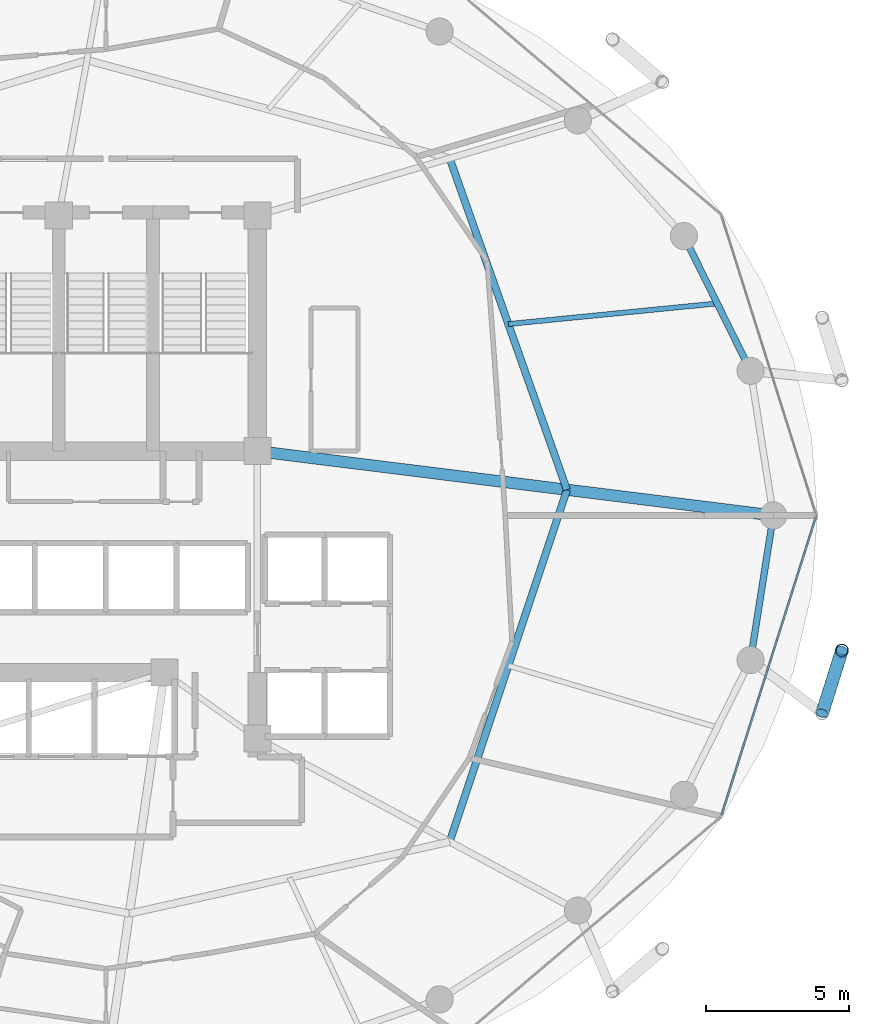
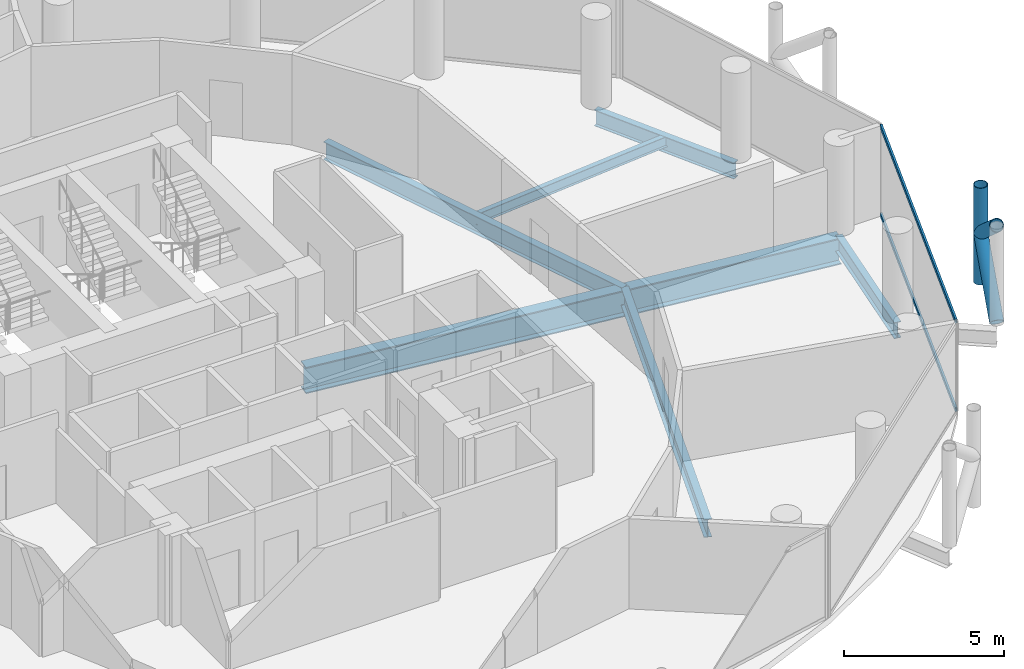
# One storey, part 11 of 26: 6 beams, 5 members, 1 element without a shape of its own.
"""IFC4 building model written with IfcOpenShell, lengths in metres."""

import ifcopenshell
import ifcopenshell.guid

model = None  # the IFC model being written
_history = None  # IfcOwnerHistory: only IFC2X3 demands one
_inside = {}  # id of a spatial element -> (the spatial element, [elements in it])
_under = {}  # id of a project, library or spatial element -> (it, [spatial elements below it])
_declared = {}  # id of a project -> (the project, [libraries it declares])
_typed = {}  # id of a type object -> (the type object, [elements of that type])
_made_of = {}  # id of a material, layer set ... -> (it, [elements and type objects made of it])


def new_model(schema):
    """Start an empty IFC model of exactly this schema.

    Asked for "IFC4X3", IfcOpenShell would pick the latest addendum, in which some entities
    have other attributes; the version numbers below select the first issue.
    IFC2X3 requires an IfcOwnerHistory on every rooted entity: one is made here for all.
    """
    global model, _history
    if schema == "IFC4X3":
        model = ifcopenshell.file(schema_version=(4, 3, 0, 0))
    else:
        model = ifcopenshell.file(schema=schema)
    _inside.clear()
    _under.clear()
    _declared.clear()
    _typed.clear()
    _made_of.clear()
    _history = None
    if model.schema == "IFC2X3":
        org = make("IfcOrganization", Name="unknown")
        user = make(
            "IfcPersonAndOrganization",
            ThePerson=make("IfcPerson", FamilyName="unknown"),
            TheOrganization=org,
        )
        app = make(
            "IfcApplication",
            ApplicationDeveloper=org,
            Version="unknown",
            ApplicationFullName="unknown",
            ApplicationIdentifier="unknown",
        )
        _history = make(
            "IfcOwnerHistory",
            OwningUser=user,
            OwningApplication=app,
            ChangeAction="ADDED",
            CreationDate=0,
        )
    return model


def make(cls, **values):
    """One entity of the class cls with the attributes given. An attribute that is None is left unset."""
    return model.create_entity(
        cls, **{name: value for name, value in values.items() if value is not None}
    )


def rooted(cls, **values):
    """An entity with a GlobalId (a new one), such as an element, a storey or a relation."""
    return make(cls, GlobalId=ifcopenshell.guid.new(), OwnerHistory=_history, **values)


def si_unit(unit_type, name, prefix=None):
    """IfcSIUnit, for example si_unit("LENGTHUNIT", "METRE", prefix="MILLI")."""
    return make("IfcSIUnit", UnitType=unit_type, Prefix=prefix, Name=name)


def assignment(units):
    """IfcUnitAssignment: the units of a project."""
    return None if units is None else make("IfcUnitAssignment", Units=units)


def point(xyz):
    """IfcCartesianPoint."""
    return None if xyz is None else make("IfcCartesianPoint", Coordinates=xyz)


def direction(xyz):
    """IfcDirection."""
    return None if xyz is None else make("IfcDirection", DirectionRatios=xyz)


def frame(location, z_axis=None, x_axis=None):
    """IfcAxis2Placement3D, a coordinate frame: its origin and axes. An axis left out is left unset."""
    return make(
        "IfcAxis2Placement3D",
        Location=point(location),
        Axis=direction(z_axis),
        RefDirection=direction(x_axis),
    )


def frame_2d(location, x_axis=None):
    """IfcAxis2Placement2D, a coordinate frame in the plane: its origin and x axis."""
    return make(
        "IfcAxis2Placement2D", Location=point(location), RefDirection=direction(x_axis)
    )


def origin():
    """The frame at (0, 0, 0) with its axes left unset."""
    return frame((0.0, 0.0, 0.0))


def origin_2d():
    """The frame at (0, 0) in the plane with its x axis left unset."""
    return frame_2d((0.0, 0.0))


def place(relative_to, where):
    """IfcLocalPlacement: puts the frame where relative to a parent placement (None: the world)."""
    return make(
        "IfcLocalPlacement", PlacementRelTo=relative_to, RelativePlacement=where
    )


def context(
    kind, dimensions, precision=None, world=None, true_north=None, identifier=None
):
    """IfcGeometricRepresentationContext, for example the 3D "Model" context."""
    return make(
        "IfcGeometricRepresentationContext",
        ContextIdentifier=identifier,
        ContextType=kind,
        CoordinateSpaceDimension=dimensions,
        Precision=precision,
        WorldCoordinateSystem=world,
        TrueNorth=true_north,
    )


def subcontext(parent, identifier, kind, view, scale=None):
    """IfcGeometricRepresentationSubContext, for example "Body" below "Model"."""
    return make(
        "IfcGeometricRepresentationSubContext",
        ContextIdentifier=identifier,
        ContextType=kind,
        ParentContext=parent,
        TargetScale=scale,
        TargetView=view,
    )


def project(units=None, contexts=None):
    """IfcProject with its units and contexts."""
    return rooted(
        "IfcProject",
        Name="project",
        RepresentationContexts=contexts,
        UnitsInContext=assignment(units),
    )


def spatial(cls, under=None, at=None, **own):
    """A site, building, storey or space (cls), placed at a placement, below another one or the project."""
    s = rooted(cls, ObjectPlacement=at, **own)
    if under is not None:
        _under.setdefault(under.id(), (under, []))[1].append(s)
    return s


def profile(cls, at=None, kind="AREA", **sizes):
    """A parametric profile (cls). Its sizes go by their IFC names, for example OverallWidth=200.0."""
    return make(cls, ProfileType=kind, Position=at, **sizes)


def hollow_rectangle(**sizes):
    """IfcRectangleHollowProfileDef."""
    return profile("IfcRectangleHollowProfileDef", **sizes)


def hollow_circle(**sizes):
    """IfcCircleHollowProfileDef."""
    return profile("IfcCircleHollowProfileDef", **sizes)


def i_section(**sizes):
    """IfcIShapeProfileDef."""
    return profile("IfcIShapeProfileDef", **sizes)


def extrude(swept, where, along, depth):
    """IfcExtrudedAreaSolid: the profile swept, set in the frame where, extruded along a direction by depth."""
    return make(
        "IfcExtrudedAreaSolid",
        SweptArea=swept,
        Position=where,
        ExtrudedDirection=direction(along),
        Depth=depth,
    )


def shape(context_of_items, identifier, shape_type, items):
    """IfcShapeRepresentation: the items that make up one representation, for example the "Body"."""
    return make(
        "IfcShapeRepresentation",
        ContextOfItems=context_of_items,
        RepresentationIdentifier=identifier,
        RepresentationType=shape_type,
        Items=items,
    )


def material(Name=None, Category=None):
    """IfcMaterial."""
    return make("IfcMaterial", Name=Name, Category=Category)


def layer(
    of_material, thickness, ventilated=None, Name=None, Category=None, Priority=None
):
    """IfcMaterialLayer: one layer of a wall or slab, of a material (None: an air gap)."""
    return make(
        "IfcMaterialLayer",
        Material=of_material,
        LayerThickness=thickness,
        IsVentilated=ventilated,
        Name=Name,
        Category=Category,
        Priority=Priority,
    )


def layer_set(layers, Name=None):
    """IfcMaterialLayerSet."""
    return make("IfcMaterialLayerSet", MaterialLayers=layers, LayerSetName=Name)


def material_profile(
    of_material, cross_section, Name=None, Category=None, Priority=None
):
    """IfcMaterialProfile: a cross section and its material."""
    return make(
        "IfcMaterialProfile",
        Name=Name,
        Material=of_material,
        Profile=cross_section,
        Priority=Priority,
        Category=Category,
    )


def profile_set(profiles, Name=None, composite=None):
    """IfcMaterialProfileSet."""
    return make(
        "IfcMaterialProfileSet",
        Name=Name,
        MaterialProfiles=profiles,
        CompositeProfile=composite,
    )


def made_of(thing, what):
    """Note that an element or type object is made of a material, layer set ...; save() writes the relation."""
    if what is not None:
        _made_of.setdefault(what.id(), (what, []))[1].append(thing)
    return thing


def type_object(cls, material=None, **own):
    """A type object (cls), such as IfcWallType, which elements share."""
    return made_of(rooted(cls, **own), material)


def element(
    cls,
    number,
    at=None,
    inside=None,
    cuts=None,
    type_object=None,
    material=None,
    context=None,
    identifier="Body",
    shape_type=None,
    held_by="IfcProductDefinitionShape",
    body=None,
    shapes=None,
    **own,
):
    """One element of the class cls, such as IfcWall. Its Tag is "e" and its number.

    at: its placement. inside: the storey or other place that contains it. cuts: it is an
    opening in that element (IfcRelVoidsElement). A single representation is given by context,
    identifier, shape_type and body (its items); several are given by shapes. held_by: the class
    of the entity that holds the representations. save() writes the other relations.
    """
    e = rooted(cls, Tag="e%d" % number, ObjectPlacement=at, **own)
    if body is not None:
        shapes = [shape(context, identifier, shape_type, body)]
    if shapes is not None:
        e.Representation = make(held_by, Representations=shapes)
    if inside is not None:
        _inside.setdefault(inside.id(), (inside, []))[1].append(e)
    if cuts is not None:
        rooted(
            "IfcRelVoidsElement", RelatingBuildingElement=cuts, RelatedOpeningElement=e
        )
    if type_object is not None:
        _typed.setdefault(type_object.id(), (type_object, []))[1].append(e)
    return made_of(e, material)


def aggregate(whole, parts):
    """IfcRelAggregates: a whole, such as a stair, and the parts it consists of."""
    return rooted("IfcRelAggregates", RelatingObject=whole, RelatedObjects=parts)


def save(model, path):
    """Write the relations noted so far, then the file.

    IfcRelAggregates (storeys below a building ...), IfcRelContainedInSpatialStructure (elements
    in a storey), IfcRelDefinesByType, IfcRelAssociatesMaterial and IfcRelDeclares: one each for
    every whole, place, type object, material and project.
    """
    for whole, parts in _under.values():
        aggregate(whole, parts)
    for where, things in _inside.values():
        rooted(
            "IfcRelContainedInSpatialStructure",
            RelatedElements=things,
            RelatingStructure=where,
        )
    for kind, things in _typed.values():
        rooted("IfcRelDefinesByType", RelatedObjects=things, RelatingType=kind)
    for what, things in _made_of.values():
        rooted("IfcRelAssociatesMaterial", RelatedObjects=things, RelatingMaterial=what)
    for by, libraries in _declared.values():
        rooted("IfcRelDeclares", RelatingContext=by, RelatedDefinitions=libraries)
    model.write(path)


model = new_model("IFC4")

# Units and contexts
model_context = context("Model", 3, precision=1e-05, world=origin(), true_north=direction((0.0, 1.0)))
body_context = subcontext(model_context, "Body", "Model", "MODEL_VIEW")
ifc_project = project(units=[si_unit("LENGTHUNIT", "METRE"), si_unit("AREAUNIT", "SQUARE_METRE"), si_unit("VOLUMEUNIT", "CUBIC_METRE"), si_unit("PLANEANGLEUNIT", "RADIAN"), si_unit("MASSUNIT", "GRAM", prefix="KILO")], contexts=[model_context])

# Site, building, storey
site_placement = place(None, origin())
site = spatial("IfcSite", under=ifc_project, at=site_placement, CompositionType="ELEMENT")
building_placement = place(site_placement, origin())
building = spatial("IfcBuilding", under=site, at=building_placement, Name="Nuhasar Tower", CompositionType="ELEMENT")
storey_placement = place(building_placement, frame((0.0, 0.0, 151.550048828125)))
storey = spatial("IfcBuildingStorey", under=building, at=storey_placement, Name="L36", CompositionType="ELEMENT", Elevation=151.550048828125)

# Beams
ifc_material_1 = material(Name="Steel S355", Category="steel")
ifc_material_profile_1 = material_profile(ifc_material_1, i_section(OverallWidth=0.25390625, OverallDepth=0.68408203125, WebThickness=0.012451171875, FlangeThickness=0.018798828125, at=origin_2d()), Name="W27X94")
ifc_profile_set_1 = profile_set([ifc_material_profile_1], Name="Steel S355")
beam_type_1 = type_object("IfcBeamType", Name="BM-INRING-W27X94", PredefinedType="BEAM", material=ifc_profile_set_1)
beam_1_placement = place(storey_placement, frame((51.027099609375, 15.385986328125, -0.592041015625), z_axis=(0.31609797573, 0.948726551615, 0.0), x_axis=(-0.948726551615, 0.31609797573, 0.0)))
element("IfcBeam", 1, at=beam_1_placement, inside=storey, type_object=beam_type_1, Name="L36 Inner Header Beam 03", PredefinedType="BEAM", context=body_context, shape_type="SweptSolid", body=[
    extrude(i_section(OverallWidth=0.25390625, OverallDepth=0.68408203125, WebThickness=0.012451171875, FlangeThickness=0.018798828125, at=origin_2d()), origin(), (0.0, 0.0, 1.0), 12.9794921875),
])
beam_2_placement = place(storey_placement, frame((55.1298828125, 27.699951171875, -0.592041015625), z_axis=(-0.333599821096, 0.942714781556, 0.0), x_axis=(-0.942714781556, -0.333599821096, 0.0)))
element("IfcBeam", 2, at=beam_2_placement, inside=storey, type_object=beam_type_1, Name="L36 Inner Header Beam 04", PredefinedType="BEAM", context=body_context, shape_type="SweptSolid", body=[
    extrude(i_section(OverallWidth=0.25390625, OverallDepth=0.68408203125, WebThickness=0.012451171875, FlangeThickness=0.018798828125, at=origin_2d()), origin(), (0.0, 0.0, 1.0), 12.298583984375),
])
ifc_material_profile_2 = material_profile(ifc_material_1, i_section(OverallWidth=0.177978515625, OverallDepth=0.406005859375, WebThickness=0.0078125, FlangeThickness=0.0126953125, at=origin_2d()), Name="W16X40")
ifc_profile_set_2 = profile_set([ifc_material_profile_2], Name="Steel S355")
beam_type_2 = type_object("IfcBeamType", Name="BM-JST-W16X40", PredefinedType="JOIST", material=ifc_profile_set_2)
beam_3_placement = place(storey_placement, frame((53.0791015625, 33.4970703125, -0.453125), z_axis=(0.995170244515, 0.098164068947, 0.0), x_axis=(-0.098164068947, 0.995170244515, 0.0)))
element("IfcBeam", 3, at=beam_3_placement, inside=storey, type_object=beam_type_2, Name="L36 Secondary Floor Joist 04", PredefinedType="JOIST", context=body_context, shape_type="SweptSolid", body=[
    extrude(i_section(OverallWidth=0.177978515625, OverallDepth=0.406005859375, WebThickness=0.0078125, FlangeThickness=0.0126953125, at=origin_2d()), origin(), (0.0, 0.0, 1.0), 7.34423828125),
])
ifc_material_profile_3 = material_profile(ifc_material_1, i_section(OverallWidth=0.22998046875, OverallDepth=0.616943359375, WebThickness=0.01318359375, FlangeThickness=0.022216796875, at=origin_2d()), Name="W24X94")
ifc_profile_set_3 = profile_set([ifc_material_profile_3], Name="Steel S355")
beam_type_3 = type_object("IfcBeamType", Name="BM-RING-W24X94", PredefinedType="SPANDREL", material=ifc_profile_set_3)
beam_4_placement = place(storey_placement, frame((61.553955078125, 31.860107421875, -0.55810546875), z_axis=(-0.443347771709, 0.896349682501, 0.0), x_axis=(-0.896349682501, -0.443347771709, 0.0)))
element("IfcBeam", 4, at=beam_4_placement, inside=storey, type_object=beam_type_3, Name="L36 Perimeter Ring Spandrel 02", PredefinedType="SPANDREL", context=body_context, shape_type="SweptSolid", body=[
    extrude(i_section(OverallWidth=0.22998046875, OverallDepth=0.616943359375, WebThickness=0.01318359375, FlangeThickness=0.022216796875, at=origin_2d()), origin(), (0.0, 0.0, 1.0), 5.260009765625),
])
beam_5_placement = place(storey_placement, frame((61.553955078125, 21.739990234375, -0.55810546875), z_axis=(0.155426543608, 0.987847452566, 0.0), x_axis=(-0.987847452566, 0.155426543608, 0.0)))
element("IfcBeam", 5, at=beam_5_placement, inside=storey, type_object=beam_type_3, Name="L36 Perimeter Ring Spandrel 24", PredefinedType="SPANDREL", context=body_context, shape_type="SweptSolid", body=[
    extrude(i_section(OverallWidth=0.22998046875, OverallDepth=0.616943359375, WebThickness=0.01318359375, FlangeThickness=0.022216796875, at=origin_2d()), origin(), (0.0, 0.0, 1.0), 5.122314453125),
])
ifc_material_2 = material(Name="Steel S460", Category="steel")
ifc_material_profile_4 = material_profile(ifc_material_2, i_section(OverallWidth=0.40087890625, OverallDepth=1.010009765625, WebThickness=0.023681640625, FlangeThickness=0.0419921875, at=origin_2d()), Name="W40X297")
ifc_profile_set_4 = profile_set([ifc_material_profile_4], Name="Steel S460")
beam_type_4 = type_object("IfcBeamType", Name="BM-XFER-W40X297", PredefinedType="USERDEFINED", material=ifc_profile_set_4)
beam_6_placement = place(storey_placement, frame((44.300048828125, 29.050048828125, -0.755126953125), z_axis=(0.992320149485, -0.123696082908, 0.0), x_axis=(0.123696082908, 0.992320149485, 0.0)))
element("IfcBeam", 6, at=beam_6_placement, inside=storey, type_object=beam_type_4, Name="L36 Radial Floor Girder 04", ObjectType="GIRDER", PredefinedType="USERDEFINED", context=body_context, shape_type="SweptSolid", body=[
    extrude(i_section(OverallWidth=0.40087890625, OverallDepth=1.010009765625, WebThickness=0.023681640625, FlangeThickness=0.0419921875, at=origin_2d()), origin(), (0.0, 0.0, 1.0), 18.189697265625),
])

# Curtain wall, members
ifc_material_3 = material(Name="Aluminium 6063-T6", Category="aluminium")
ifc_layer = layer(ifc_material_3, 0.199951171875)
ifc_layer_set = layer_set([ifc_layer], Name="Aluminium 6063-T6")
curtain_wall_type = type_object("IfcCurtainWallType", Name="CW-Z2-HTL", PredefinedType="NOTDEFINED", material=ifc_layer_set)
curtain_wall_placement = place(storey_placement, origin())
curtain_wall = element("IfcCurtainWall", 7, at=curtain_wall_placement, inside=storey, type_object=curtain_wall_type, Name="L36 Unitised Curtain Wall 12", PredefinedType="NOTDEFINED")
ifc_material_profile_5 = material_profile(ifc_material_3, hollow_rectangle(XDim=0.070068359375, YDim=0.159912109375, WallThickness=0.00439453125, at=origin_2d()), Name="CWT-3")
ifc_profile_set_5 = profile_set([ifc_material_profile_5], Name="Aluminium 6063-T6")
member_type_1 = type_object("IfcMemberType", Name="CW-TRN-S3", PredefinedType="USERDEFINED", material=ifc_profile_set_5)
member_1_placement = place(storey_placement, frame((60.550048828125, 16.336669921875, 0.034912109375), z_axis=(0.301608163352, 0.953431967053, 0.0), x_axis=(-0.953431967053, 0.301608163352, 0.0)))
member_1 = element("IfcMember", 8, at=member_1_placement, type_object=member_type_1, Name="CW-Z2 transom 1.1", ObjectType="TRANSOM", PredefinedType="USERDEFINED", context=body_context, shape_type="SweptSolid", body=[
    extrude(hollow_rectangle(XDim=0.070068359375, YDim=0.159912109375, WallThickness=0.00439453125, at=origin_2d()), origin(), (0.0, 0.0, 1.0), 10.904296875),
])
member_2_placement = place(storey_placement, frame((60.550048828125, 16.336669921875, 3.4150390625), z_axis=(0.301608163352, 0.953431967053, 0.0), x_axis=(-0.953431967053, 0.301608163352, 0.0)))
member_2 = element("IfcMember", 9, at=member_2_placement, type_object=member_type_1, Name="CW-Z2 transom 1.2", ObjectType="TRANSOM", PredefinedType="USERDEFINED", context=body_context, shape_type="SweptSolid", body=[
    extrude(hollow_rectangle(XDim=0.070068359375, YDim=0.159912109375, WallThickness=0.00439453125, at=origin_2d()), origin(), (0.0, 0.0, 1.0), 10.904296875),
])
aggregate(curtain_wall, [member_1, member_2])

# Members
ifc_material_profile_6 = material_profile(ifc_material_2, hollow_circle(Radius=0.228515625, WallThickness=0.022216796875, at=origin_2d()), Name="HSS457X22.2")
ifc_profile_set_6 = profile_set([ifc_material_profile_6], Name="Steel S460")
member_type_2 = type_object("IfcMemberType", Name="EXO-BRONZE-457", PredefinedType="BRACE", material=ifc_profile_set_6)
member_3_placement = place(storey_placement, frame((64.748046875, 22.073974609375, 0.0), z_axis=(0.0, 0.0, 1.0), x_axis=(1.0, 0.0, 0.0)))
element("IfcMember", 10, at=member_3_placement, inside=storey, type_object=member_type_2, Name="L36 Exoskeleton Chord Column EC-12B", PredefinedType="BRACE", context=body_context, shape_type="SweptSolid", body=[
    extrude(hollow_circle(Radius=0.228515625, WallThickness=0.022216796875, at=origin_2d()), origin(), (0.0, 0.0, 1.0), 3.699951171875),
])
member_4_placement = place(storey_placement, frame((64.06005859375, 19.87890625, 0.0), z_axis=(0.233067628236, 0.74361641074, 0.626669062861), x_axis=(-0.954228474306, 0.29907861646, 0.0)))
element("IfcMember", 11, at=member_4_placement, inside=storey, type_object=member_type_2, Name="L36 Bronze Diagrid Brace W1-12", PredefinedType="BRACE", context=body_context, shape_type="SweptSolid", body=[
    extrude(hollow_circle(Radius=0.228515625, WallThickness=0.022216796875, at=origin_2d()), origin(), (0.0, 0.0, 1.0), 2.951904296875),
])
member_5_placement = place(storey_placement, frame((64.748046875, 22.073974609375, 1.849853515625), z_axis=(-0.233055548538, -0.743577869731, 0.626719285599), x_axis=(0.954228474306, -0.29907861646, 0.0)))
element("IfcMember", 12, at=member_5_placement, inside=storey, type_object=member_type_2, Name="L36 Bronze Diagrid Brace W2-12", PredefinedType="BRACE", context=body_context, shape_type="SweptSolid", body=[
    extrude(hollow_circle(Radius=0.228515625, WallThickness=0.022216796875, at=origin_2d()), origin(), (0.0, 0.0, 1.0), 2.9521484375),
])

save(model, "model.ifc")
